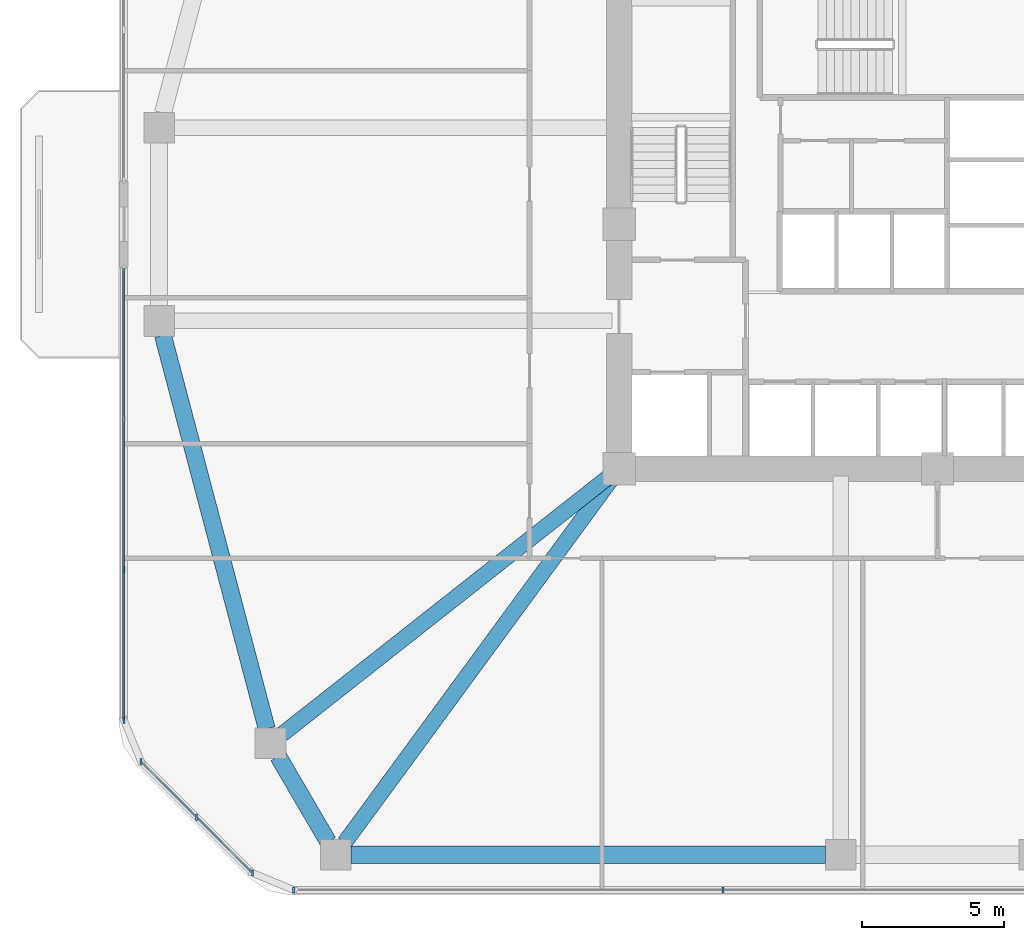
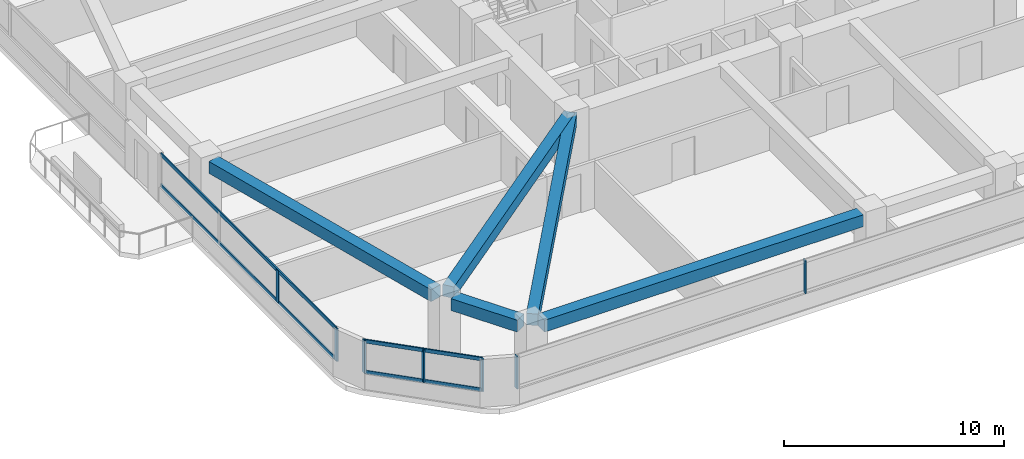
# One storey, part 2 of 15: 11 members, 5 beams, 3 elements without a shape of their own.
"""IFC4 building model written with IfcOpenShell, lengths in metres."""

from ifc_helpers import new_model, si_unit, derived_unit, direction, frame, origin, origin_2d, place, context, subcontext, project, spatial, rectangle, extrude, material, material_profile, profile_set, type_object, element, aggregate, save


model = new_model("IFC4")

# Units and contexts
model_context = context("Model", 3, precision=1e-05, world=origin(), true_north=direction((0.0, 1.0)))
body_context = subcontext(model_context, "Body", "Model", "MODEL_VIEW")
ifc_project = project(units=[si_unit("LENGTHUNIT", "METRE"), si_unit("AREAUNIT", "SQUARE_METRE"), si_unit("VOLUMEUNIT", "CUBIC_METRE"), si_unit("PLANEANGLEUNIT", "RADIAN"), si_unit("MASSUNIT", "GRAM", prefix="KILO"), derived_unit("THERMALTRANSMITTANCEUNIT", [(si_unit("POWERUNIT", "WATT"), 1), (si_unit("LENGTHUNIT", "METRE"), -2), (si_unit("THERMODYNAMICTEMPERATUREUNIT", "KELVIN"), -1)])], contexts=[model_context])

# Site, building, storey
site_placement = place(None, origin())
site = spatial("IfcSite", under=ifc_project, at=site_placement, CompositionType="ELEMENT")
building_placement = place(site_placement, origin())
building = spatial("IfcBuilding", under=site, at=building_placement, Name="Koralith Skygarden Medical Center", CompositionType="ELEMENT")
storey_placement = place(building_placement, frame((0.0, 0.0, 56.340087890625)))
storey = spatial("IfcBuildingStorey", under=building, at=storey_placement, Name="L14", CompositionType="ELEMENT", Elevation=56.340087890625)

# Curtain wall, members
ifc_material_1 = material(Name="Clear Laminated Glass", Category="glass")
curtain_wall_type = type_object("IfcCurtainWallType", Name="CW-2 Zone 1 Hurricane Unitised Curtain Wall", PredefinedType="NOTDEFINED", material=ifc_material_1)
curtain_wall_1_placement = place(storey_placement, origin())
curtain_wall_1 = element("IfcCurtainWall", 1, at=curtain_wall_1_placement, inside=storey, type_object=curtain_wall_type, Name="Curtain Wall CW-L14-S", PredefinedType="NOTDEFINED")
ifc_material_2 = material(Name="Aluminium 6063-T6", Category="aluminium")
ifc_material_profile_1 = material_profile(ifc_material_2, rectangle(XDim=0.071044921875, YDim=0.219970703125, at=origin_2d()), Name="MUL71X220")
ifc_profile_set_1 = profile_set([ifc_material_profile_1], Name="Aluminium 6063-T6")
member_type_1 = type_object("IfcMemberType", Name="CW-2 Extruded Mullion 71x220", PredefinedType="MULLION", material=ifc_profile_set_1)
member_1_placement = place(storey_placement, frame((14.35498046875, 2.47998046875, 0.849853515625), z_axis=(0.0, 0.0, 1.0), x_axis=(1.0, 0.0, 0.0)))
member_1 = element("IfcMember", 2, at=member_1_placement, type_object=member_type_1, Name="CW-L14-S Mullion 1", PredefinedType="MULLION", context=body_context, shape_type="SweptSolid", body=[
    extrude(rectangle(XDim=0.071044921875, YDim=0.219970703125, at=origin_2d()), origin(), (0.0, 0.0, 1.0), 1.800048828125),
])
member_2_placement = place(storey_placement, frame((29.451904296875, 2.47998046875, 0.849853515625), z_axis=(0.0, 0.0, 1.0), x_axis=(1.0, 0.0, 0.0)))
member_2 = element("IfcMember", 3, at=member_2_placement, type_object=member_type_1, Name="CW-L14-S Mullion 2", PredefinedType="MULLION", context=body_context, shape_type="SweptSolid", body=[
    extrude(rectangle(XDim=0.071044921875, YDim=0.219970703125, at=origin_2d()), origin(), (0.0, 0.0, 1.0), 1.800048828125),
])
aggregate(curtain_wall_1, [member_1, member_2])

curtain_wall_2_placement = place(storey_placement, origin())
curtain_wall_2 = element("IfcCurtainWall", 4, at=curtain_wall_2_placement, inside=storey, type_object=curtain_wall_type, Name="Curtain Wall CW-L14-W-R", PredefinedType="NOTDEFINED")
member_3_placement = place(storey_placement, frame((8.3798828125, 13.757080078125, 0.849853515625), z_axis=(0.0, 0.0, 1.0), x_axis=(1.0, 0.0, 0.0)))
member_3 = element("IfcMember", 5, at=member_3_placement, type_object=member_type_1, Name="CW-L14-W-R Mullion 3", PredefinedType="MULLION", context=body_context, shape_type="SweptSolid", body=[
    extrude(rectangle(XDim=0.071044921875, YDim=0.219970703125, at=origin_2d()), origin(), (0.0, 0.0, 1.0), 1.800048828125),
])
member_4_placement = place(storey_placement, frame((8.3798828125, 8.455078125, 0.849853515625), z_axis=(0.0, 0.0, 1.0), x_axis=(1.0, 0.0, 0.0)))
member_4 = element("IfcMember", 6, at=member_4_placement, type_object=member_type_1, Name="CW-L14-W-R Mullion 4", PredefinedType="MULLION", context=body_context, shape_type="SweptSolid", body=[
    extrude(rectangle(XDim=0.071044921875, YDim=0.219970703125, at=origin_2d()), origin(), (0.0, 0.0, 1.0), 1.800048828125),
])

curtain_wall_3_placement = place(storey_placement, origin())
curtain_wall_3 = element("IfcCurtainWall", 7, at=curtain_wall_3_placement, inside=storey, type_object=curtain_wall_type, Name="Curtain Wall CW-L14-SW", PredefinedType="NOTDEFINED")
member_5_placement = place(storey_placement, frame((8.98095703125, 7.00390625, 0.849853515625), z_axis=(0.0, 0.0, 1.0), x_axis=(1.0, 0.0, 0.0)))
member_5 = element("IfcMember", 8, at=member_5_placement, type_object=member_type_1, Name="CW-L14-SW Mullion 1", PredefinedType="MULLION", context=body_context, shape_type="SweptSolid", body=[
    extrude(rectangle(XDim=0.071044921875, YDim=0.219970703125, at=origin_2d()), origin(), (0.0, 0.0, 1.0), 1.800048828125),
])
member_6_placement = place(storey_placement, frame((10.94189453125, 5.04296875, 0.849853515625), z_axis=(0.0, 0.0, 1.0), x_axis=(1.0, 0.0, 0.0)))
member_6 = element("IfcMember", 9, at=member_6_placement, type_object=member_type_1, Name="CW-L14-SW Mullion 2", PredefinedType="MULLION", context=body_context, shape_type="SweptSolid", body=[
    extrude(rectangle(XDim=0.071044921875, YDim=0.219970703125, at=origin_2d()), origin(), (0.0, 0.0, 1.0), 1.800048828125),
])
member_7_placement = place(storey_placement, frame((12.904052734375, 3.0810546875, 0.849853515625), z_axis=(0.0, 0.0, 1.0), x_axis=(1.0, 0.0, 0.0)))
member_7 = element("IfcMember", 10, at=member_7_placement, type_object=member_type_1, Name="CW-L14-SW Mullion 3", PredefinedType="MULLION", context=body_context, shape_type="SweptSolid", body=[
    extrude(rectangle(XDim=0.071044921875, YDim=0.219970703125, at=origin_2d()), origin(), (0.0, 0.0, 1.0), 1.800048828125),
])

# Member
ifc_material_profile_2 = material_profile(ifc_material_2, rectangle(XDim=0.06591796875, YDim=0.197998046875, at=origin_2d()), Name="TRN66X198")
ifc_profile_set_2 = profile_set([ifc_material_profile_2], Name="Aluminium 6063-T6")
member_type_2 = type_object("IfcMemberType", Name="CW-2 Thermal Transom 66x198", PredefinedType="USERDEFINED", material=ifc_profile_set_2)
member_8_placement = place(storey_placement, frame((8.3798828125, 24.360107421875, 0.89990234375), z_axis=(0.0, -1.0, 0.0), x_axis=(1.0, 0.0, 0.0)))
member_8 = element("IfcMember", 11, at=member_8_placement, type_object=member_type_2, Name="CW-L14-W-R Transom 1", ObjectType="TRANSOM", PredefinedType="USERDEFINED", context=body_context, shape_type="SweptSolid", body=[
    extrude(rectangle(XDim=0.06591796875, YDim=0.197998046875, at=origin_2d()), origin(), (0.0, 0.0, 1.0), 15.905029296875),
])

member_9_placement = place(storey_placement, frame((8.3798828125, 24.360107421875, 2.599853515625), z_axis=(0.0, -1.0, 0.0), x_axis=(1.0, 0.0, 0.0)))
member_9 = element("IfcMember", 12, at=member_9_placement, type_object=member_type_2, Name="CW-L14-W-R Transom 2", ObjectType="TRANSOM", PredefinedType="USERDEFINED", context=body_context, shape_type="SweptSolid", body=[
    extrude(rectangle(XDim=0.06591796875, YDim=0.197998046875, at=origin_2d()), origin(), (0.0, 0.0, 1.0), 15.905029296875),
])

aggregate(curtain_wall_2, [member_3, member_4, member_8, member_9])

member_10_placement = place(storey_placement, frame((8.98095703125, 7.00390625, 0.89990234375), z_axis=(0.707128783731, -0.707084777957, 0.0), x_axis=(0.707084777957, 0.707128783731, 0.0)))
member_10 = element("IfcMember", 13, at=member_10_placement, type_object=member_type_2, Name="CW-L14-SW Transom 1", ObjectType="TRANSOM", PredefinedType="USERDEFINED", context=body_context, shape_type="SweptSolid", body=[
    extrude(rectangle(XDim=0.06591796875, YDim=0.197998046875, at=origin_2d()), origin(), (0.0, 0.0, 1.0), 5.5478515625),
])

member_11_placement = place(storey_placement, frame((8.98095703125, 7.00390625, 2.599853515625), z_axis=(0.707128783731, -0.707084777957, 0.0), x_axis=(0.707084777957, 0.707128783731, 0.0)))
member_11 = element("IfcMember", 14, at=member_11_placement, type_object=member_type_2, Name="CW-L14-SW Transom 2", ObjectType="TRANSOM", PredefinedType="USERDEFINED", context=body_context, shape_type="SweptSolid", body=[
    extrude(rectangle(XDim=0.06591796875, YDim=0.197998046875, at=origin_2d()), origin(), (0.0, 0.0, 1.0), 5.5478515625),
])

aggregate(curtain_wall_3, [member_5, member_6, member_7, member_10, member_11])

# Beams
ifc_material_3 = material(Name="Concrete C45/55", Category="concrete")
ifc_material_profile_3 = material_profile(ifc_material_3, rectangle(XDim=0.550048828125, YDim=0.639892578125, at=origin_2d()), Name="RCB550X640")
ifc_profile_set_3 = profile_set([ifc_material_profile_3], Name="Concrete C45/55")
beam_type_1 = type_object("IfcBeamType", Name="Radial Collector Beam RCB550X640", PredefinedType="BEAM", material=ifc_profile_set_3)
beam_1_placement = place(storey_placement, frame((25.60400390625, 17.14501953125, 3.0), z_axis=(-0.785497250365, -0.618865146594, 0.0), x_axis=(0.618865146594, -0.785497250365, 0.0)))
element("IfcBeam", 15, at=beam_1_placement, inside=storey, type_object=beam_type_1, Name="L14 Radial Collector Beam RB-02", PredefinedType="BEAM", context=body_context, shape_type="SweptSolid", body=[
    extrude(rectangle(XDim=0.550048828125, YDim=0.639892578125, at=origin_2d()), origin(), (0.0, 0.0, 1.0), 14.828857421875),
])
beam_2_placement = place(storey_placement, frame((25.652099609375, 17.097900390625, 3.0), z_axis=(-0.591718052249, -0.806144991079, 0.0), x_axis=(0.806144991079, -0.591718052249, 0.0)))
element("IfcBeam", 16, at=beam_2_placement, inside=storey, type_object=beam_type_1, Name="L14 Radial Collector Beam RB-03", PredefinedType="BEAM", context=body_context, shape_type="SweptSolid", body=[
    extrude(rectangle(XDim=0.550048828125, YDim=0.639892578125, at=origin_2d()), origin(), (0.0, 0.0, 1.0), 16.065185546875),
])
ifc_material_profile_4 = material_profile(ifc_material_3, rectangle(XDim=0.60009765625, YDim=0.659912109375, at=origin_2d()), Name="RCB600X660")
ifc_profile_set_4 = profile_set([ifc_material_profile_4], Name="Concrete C45/55")
beam_type_2 = type_object("IfcBeamType", Name="Zone 1 Spandrel Beam RCB600X660", PredefinedType="SPANDREL", material=ifc_profile_set_4)
beam_3_placement = place(storey_placement, frame((9.7548828125, 21.988037109375, 2.989990234375), z_axis=(0.255088684842, -0.966917660851, 0.0), x_axis=(0.966917660851, 0.255088684842, 0.0)))
element("IfcBeam", 17, at=beam_3_placement, inside=storey, type_object=beam_type_2, Name="L14 Perimeter Spandrel Beam SP-01", PredefinedType="SPANDREL", context=body_context, shape_type="SweptSolid", body=[
    extrude(rectangle(XDim=0.60009765625, YDim=0.659912109375, at=origin_2d()), origin(), (0.0, 0.0, 1.0), 14.309326171875),
])
beam_4_placement = place(storey_placement, frame((13.80810546875, 7.181884765625, 2.989990234375), z_axis=(0.504638660636, -0.863330656349, 0.0), x_axis=(0.863330656349, 0.504638660636, 0.0)))
element("IfcBeam", 18, at=beam_4_placement, inside=storey, type_object=beam_type_2, Name="L14 Perimeter Spandrel Beam SP-02", PredefinedType="SPANDREL", context=body_context, shape_type="SweptSolid", body=[
    extrude(rectangle(XDim=0.60009765625, YDim=0.659912109375, at=origin_2d()), origin(), (0.0, 0.0, 1.0), 3.4794921875),
])
beam_5_placement = place(storey_placement, frame((16.362060546875, 3.719970703125, 2.989990234375), z_axis=(1.0, 0.0, 0.0), x_axis=(0.0, 1.0, 0.0)))
element("IfcBeam", 19, at=beam_5_placement, inside=storey, type_object=beam_type_2, Name="L14 Perimeter Spandrel Beam SP-03", PredefinedType="SPANDREL", context=body_context, shape_type="SweptSolid", body=[
    extrude(rectangle(XDim=0.60009765625, YDim=0.659912109375, at=origin_2d()), origin(), (0.0, 0.0, 1.0), 16.7080078125),
])

save(model, "model.ifc")
